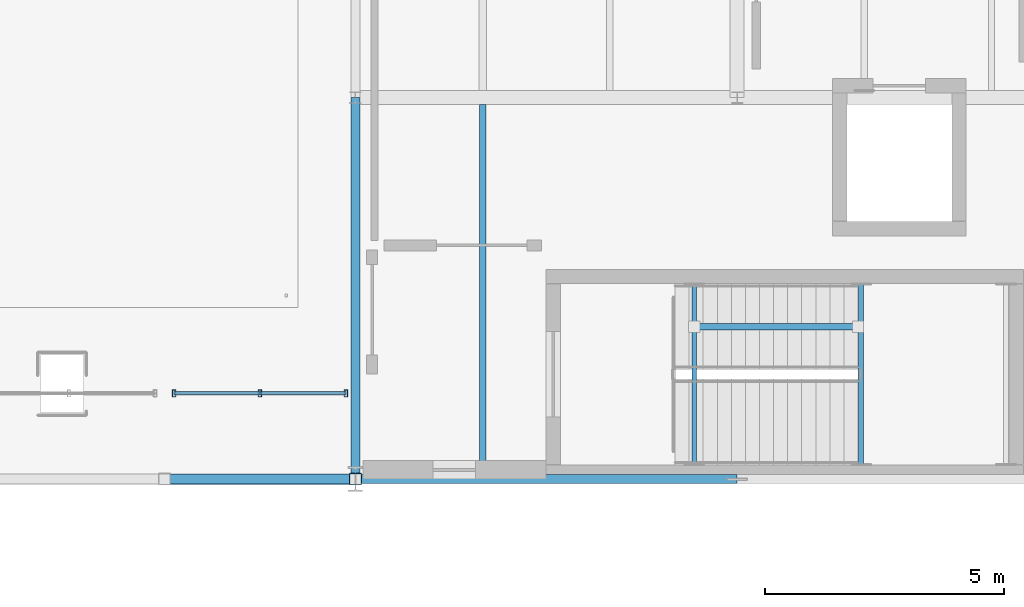
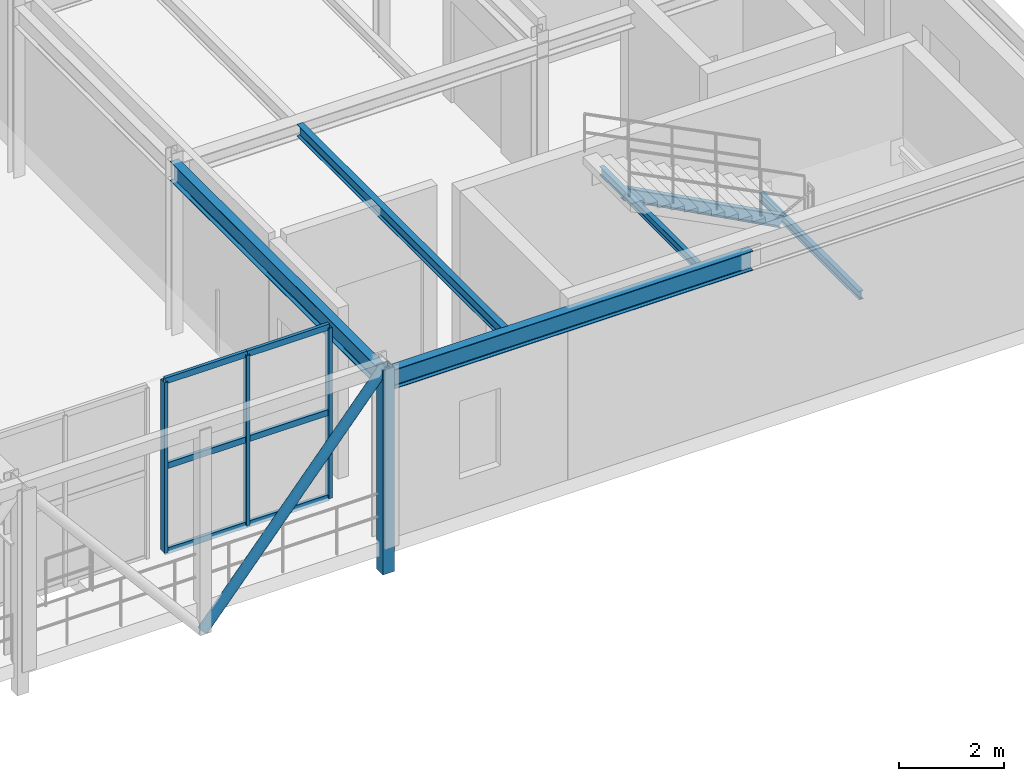
# One storey, part 28 of 124: 12 members, 5 beams, 1 element without a shape of its own.
"""IFC4 building model written with IfcOpenShell, lengths in metres."""

from ifc_helpers import new_model, si_unit, direction, frame, origin, origin_2d, place, context, subcontext, project, spatial, hollow_rectangle, hollow_circle, i_section, extrude, material, material_profile, profile_set, type_object, element, aggregate, save


model = new_model("IFC4")

# Units and contexts
model_context = context("Model", 3, precision=1e-05, world=origin(), true_north=direction((0.0, 1.0)))
body_context = subcontext(model_context, "Body", "Model", "MODEL_VIEW")
ifc_project = project(units=[si_unit("LENGTHUNIT", "METRE"), si_unit("AREAUNIT", "SQUARE_METRE"), si_unit("VOLUMEUNIT", "CUBIC_METRE"), si_unit("PLANEANGLEUNIT", "RADIAN"), si_unit("MASSUNIT", "GRAM", prefix="KILO")], contexts=[model_context])

# Site, building, storey
site_placement = place(None, origin())
site = spatial("IfcSite", under=ifc_project, at=site_placement, CompositionType="ELEMENT")
building_placement = place(site_placement, origin())
building = spatial("IfcBuilding", under=site, at=building_placement, Name="Sundkrona Museum", CompositionType="ELEMENT")
storey_placement = place(building_placement, frame((0.0, 0.0, 17.60009765625)))
storey = spatial("IfcBuildingStorey", under=building, at=storey_placement, Name="L03", CompositionType="ELEMENT", Elevation=17.60009765625)

# Member
ifc_material_1 = material(Name="Steel S355J2", Category="steel")
ifc_material_profile_1 = material_profile(ifc_material_1, i_section(OverallWidth=0.135009765625, OverallDepth=0.27001953125, WebThickness=0.006591796875, FlangeThickness=0.01025390625, FilletRadius=0.014892578125, at=origin_2d()), Name="IPE 270")
ifc_profile_set_1 = profile_set([ifc_material_profile_1], Name="Steel S355J2")
member_type_1 = type_object("IfcMemberType", Name="BR-IPE270", PredefinedType="BRACE", material=ifc_profile_set_1)
member_1_placement = place(storey_placement, frame((34.534912109375, 35.199951171875, 1.77978515625), z_axis=(-0.882182779908, 0.0, 0.470907148846), x_axis=(0.0, -1.0, 0.0)))
element("IfcMember", 1, at=member_1_placement, inside=storey, type_object=member_type_1, Name="SRK-1 L03 ST-4 Flight 2 Inclined Carriage Raker", PredefinedType="BRACE", context=body_context, shape_type="SweptSolid", body=[
    extrude(i_section(OverallWidth=0.135009765625, OverallDepth=0.27001953125, WebThickness=0.006591796875, FlangeThickness=0.01025390625, FilletRadius=0.014892578125, at=origin_2d()), origin(), (0.0, 0.0, 1.0), 3.8935546875),
])

# Beams
ifc_material_profile_2 = material_profile(ifc_material_1, i_section(OverallWidth=0.10009765625, OverallDepth=0.199951171875, WebThickness=0.005615234375, FlangeThickness=0.008544921875, FilletRadius=0.011962890625, at=origin_2d()), Name="IPE 200")
ifc_profile_set_2 = profile_set([ifc_material_profile_2], Name="Steel S355J2")
beam_type_1 = type_object("IfcBeamType", Name="J-IPE200", PredefinedType="JOIST", material=ifc_profile_set_2)
for number, where, z_axis, x_axis, name in (
    (2, (34.598388671875, 32.31005859375, 1.77978515625), (0.0, 1.0, 0.0), (-1.0, 0.0, 0.0), "L03 ST-4 Mid-Landing Trimmer Beam 1A"),
    (3, (31.10009765625, 32.31005859375, 3.61328125), (0.0, 1.0, 0.0), (-1.0, 0.0, 0.0), "L03 ST-4 Flight 2 Arrival Header Beam"),
):
    element("IfcBeam", number, at=place(storey_placement, frame(where, z_axis=z_axis, x_axis=x_axis)), inside=storey, type_object=beam_type_1, Name=name, PredefinedType="JOIST", context=body_context, shape_type="SweptSolid", body=[
        extrude(i_section(OverallWidth=0.10009765625, OverallDepth=0.199951171875, WebThickness=0.005615234375, FlangeThickness=0.008544921875, FilletRadius=0.011962890625, at=origin_2d()), origin(), (0.0, 0.0, 1.0), 3.780029296875),
    ])
ifc_material_profile_3 = material_profile(ifc_material_1, i_section(OverallWidth=0.135009765625, OverallDepth=0.27001953125, WebThickness=0.006591796875, FlangeThickness=0.01025390625, FilletRadius=0.014892578125, at=origin_2d()), Name="IPE 270")
ifc_profile_set_3 = profile_set([ifc_material_profile_3], Name="Steel S355J2")
beam_type_2 = type_object("IfcBeamType", Name="J-IPE270", PredefinedType="JOIST", material=ifc_profile_set_3)
beam_placement = place(storey_placement, frame((26.666748046875, 32.089111328125, 3.824951171875), z_axis=(0.0, 1.0, 0.0), x_axis=(-1.0, 0.0, 0.0)))
element("IfcBeam", 4, at=beam_placement, inside=storey, type_object=beam_type_2, Name="L03 Composite Joist 0979", PredefinedType="JOIST", context=body_context, shape_type="SweptSolid", body=[
    extrude(i_section(OverallWidth=0.135009765625, OverallDepth=0.27001953125, WebThickness=0.006591796875, FlangeThickness=0.01025390625, FilletRadius=0.014892578125, at=origin_2d()), origin(), (0.0, 0.0, 1.0), 7.766845703125),
])

# Curtain wall, members
ifc_material_2 = material(Name="Unitised Aluminium-Steel and Ceramic-Clad Curtain Walling", Category="steel")
curtain_wall_type = type_object("IfcCurtainWallType", Name="CW-CV-36x38", PredefinedType="NOTDEFINED", material=ifc_material_2)
curtain_wall_placement = place(storey_placement, origin())
curtain_wall = element("IfcCurtainWall", 5, at=curtain_wall_placement, inside=storey, type_object=curtain_wall_type, Name="L03 Curtain Wall CW-L03-160", PredefinedType="NOTDEFINED")
ifc_material_3 = material(Name="Aluminium EN AW-6060 T66", Category="aluminium")
ifc_material_profile_4 = material_profile(ifc_material_3, hollow_rectangle(XDim=0.074951171875, YDim=0.14990234375, WallThickness=0.00634765625, at=origin_2d()), Name="RHS 150x75x6.3")
ifc_profile_set_4 = profile_set([ifc_material_profile_4], Name="Aluminium EN AW-6060 T66")
member_type_2 = type_object("IfcMemberType", Name="ML-150", PredefinedType="MULLION", material=ifc_profile_set_4)
member_2_placement = place(storey_placement, frame((20.199951171875, 33.800048828125, -0.004150390625), z_axis=(0.0, 0.0, 1.0), x_axis=(1.0, 0.0, 0.0)))
member_2 = element("IfcMember", 6, at=member_2_placement, type_object=member_type_2, Name="CW-L03-160 Mullion 01", PredefinedType="MULLION", context=body_context, shape_type="SweptSolid", body=[
    extrude(hollow_rectangle(XDim=0.074951171875, YDim=0.14990234375, WallThickness=0.00634765625, at=origin_2d()), origin(), (0.0, 0.0, 1.0), 3.947998046875),
])
member_3_placement = place(storey_placement, frame((22.0, 33.800048828125, -0.004150390625), z_axis=(0.0, 0.0, 1.0), x_axis=(1.0, 0.0, 0.0)))
member_3 = element("IfcMember", 7, at=member_3_placement, type_object=member_type_2, Name="CW-L03-160 Mullion 02", PredefinedType="MULLION", context=body_context, shape_type="SweptSolid", body=[
    extrude(hollow_rectangle(XDim=0.074951171875, YDim=0.14990234375, WallThickness=0.00634765625, at=origin_2d()), origin(), (0.0, 0.0, 1.0), 3.947998046875),
])
member_4_placement = place(storey_placement, frame((23.800048828125, 33.800048828125, -0.004150390625), z_axis=(0.0, 0.0, 1.0), x_axis=(1.0, 0.0, 0.0)))
member_4 = element("IfcMember", 8, at=member_4_placement, type_object=member_type_2, Name="CW-L03-160 Mullion 03", PredefinedType="MULLION", context=body_context, shape_type="SweptSolid", body=[
    extrude(hollow_rectangle(XDim=0.074951171875, YDim=0.14990234375, WallThickness=0.00634765625, at=origin_2d()), origin(), (0.0, 0.0, 1.0), 3.947998046875),
])

# Beams
ifc_material_profile_5 = material_profile(ifc_material_1, i_section(OverallWidth=0.18994140625, OverallDepth=0.449951171875, WebThickness=0.009521484375, FlangeThickness=0.0146484375, FilletRadius=0.02099609375, at=origin_2d()), Name="IPE 450")
ifc_profile_set_5 = profile_set([ifc_material_profile_5], Name="Steel S355J2")
beam_type_3 = type_object("IfcBeamType", Name="SP-IPE450", PredefinedType="SPANDREL", material=ifc_profile_set_5)
for number, where, z_axis, x_axis, name in (
    (9, (24.0, 32.0, 3.73486328125), (1.0, 0.0, 0.0), (0.0, 1.0, 0.0), "L03 Girder X-1442"),
    (10, (24.0, 32.0, 3.73486328125), (0.0, 1.0, 0.0), (-1.0, 0.0, 0.0), "L03 Girder Y-1561"),
):
    element("IfcBeam", number, at=place(storey_placement, frame(where, z_axis=z_axis, x_axis=x_axis)), inside=storey, type_object=beam_type_3, Name=name, PredefinedType="SPANDREL", context=body_context, shape_type="SweptSolid", body=[
        extrude(i_section(OverallWidth=0.18994140625, OverallDepth=0.449951171875, WebThickness=0.009521484375, FlangeThickness=0.0146484375, FilletRadius=0.02099609375, at=origin_2d()), origin(), (0.0, 0.0, 1.0), 8.0),
    ])

# Members
ifc_material_profile_6 = material_profile(ifc_material_1, hollow_circle(Radius=0.109619140625, WallThickness=0.010009765625, at=origin_2d()), Name="CHS 219.1x10.0")
ifc_profile_set_6 = profile_set([ifc_material_profile_6], Name="Steel S355J2")
member_type_3 = type_object("IfcMemberType", Name="ST-CHS219", PredefinedType="STRUT", material=ifc_profile_set_6)
member_5_placement = place(storey_placement, frame((20.0, 32.0, -0.68017578125), z_axis=(0.645726672694, 0.0, 0.763568637499), x_axis=(0.0, 1.0, 0.0)))
element("IfcMember", 11, at=member_5_placement, inside=storey, type_object=member_type_3, Name="TRS-1 Cantilever Upper Pavilion S Diagonal 5", PredefinedType="STRUT", context=body_context, shape_type="SweptSolid", body=[
    extrude(hollow_circle(Radius=0.109619140625, WallThickness=0.010009765625, at=origin_2d()), origin(), (0.0, 0.0, 1.0), 6.194580078125),
])
ifc_material_4 = material(Name="Steel S460M", Category="steel")
ifc_material_profile_7 = material_profile(ifc_material_4, hollow_rectangle(XDim=0.25, YDim=0.25, WallThickness=0.012451171875, at=origin_2d()), Name="SHS 250x250x12.5")
ifc_profile_set_7 = profile_set([ifc_material_profile_7], Name="Steel S460M")
member_type_4 = type_object("IfcMemberType", Name="ST-SHS250", PredefinedType="STRUT", material=ifc_profile_set_7)
member_6_placement = place(storey_placement, frame((24.0, 32.0, -0.68017578125), z_axis=(0.0, 0.0, 1.0), x_axis=(1.0, 0.0, 0.0)))
element("IfcMember", 12, at=member_6_placement, inside=storey, type_object=member_type_4, Name="TRS-1 Cantilever Upper Pavilion Post S-6", PredefinedType="STRUT", context=body_context, shape_type="SweptSolid", body=[
    extrude(hollow_rectangle(XDim=0.25, YDim=0.25, WallThickness=0.012451171875, at=origin_2d()), origin(), (0.0, 0.0, 1.0), 4.72998046875),
])

# Member
ifc_material_profile_8 = material_profile(ifc_material_3, hollow_rectangle(XDim=0.070068359375, YDim=0.139892578125, WallThickness=0.0048828125, at=origin_2d()), Name="RHS 140x70x5.0")
ifc_profile_set_8 = profile_set([ifc_material_profile_8], Name="Aluminium EN AW-6060 T66")
member_type_5 = type_object("IfcMemberType", Name="TR-140", PredefinedType="USERDEFINED", material=ifc_profile_set_8)
member_7_placement = place(storey_placement, frame((20.199951171875, 33.800048828125, -0.004150390625), z_axis=(1.0, 0.0, 0.0), x_axis=(0.0, 1.0, 0.0)))
member_7 = element("IfcMember", 13, at=member_7_placement, type_object=member_type_5, Name="CW-L03-160 Transom 01", ObjectType="TRANSOM", PredefinedType="USERDEFINED", context=body_context, shape_type="SweptSolid", body=[
    extrude(hollow_rectangle(XDim=0.070068359375, YDim=0.139892578125, WallThickness=0.0048828125, at=origin_2d()), origin(), (0.0, 0.0, 1.0), 1.800048828125),
])

member_8_placement = place(storey_placement, frame((20.199951171875, 33.800048828125, 1.969970703125), z_axis=(1.0, 0.0, 0.0), x_axis=(0.0, 1.0, 0.0)))
member_8 = element("IfcMember", 14, at=member_8_placement, type_object=member_type_5, Name="CW-L03-160 Transom 02", ObjectType="TRANSOM", PredefinedType="USERDEFINED", context=body_context, shape_type="SweptSolid", body=[
    extrude(hollow_rectangle(XDim=0.070068359375, YDim=0.139892578125, WallThickness=0.0048828125, at=origin_2d()), origin(), (0.0, 0.0, 1.0), 1.800048828125),
])

member_9_placement = place(storey_placement, frame((20.199951171875, 33.800048828125, 3.94384765625), z_axis=(1.0, 0.0, 0.0), x_axis=(0.0, 1.0, 0.0)))
member_9 = element("IfcMember", 15, at=member_9_placement, type_object=member_type_5, Name="CW-L03-160 Transom 03", ObjectType="TRANSOM", PredefinedType="USERDEFINED", context=body_context, shape_type="SweptSolid", body=[
    extrude(hollow_rectangle(XDim=0.070068359375, YDim=0.139892578125, WallThickness=0.0048828125, at=origin_2d()), origin(), (0.0, 0.0, 1.0), 1.800048828125),
])

member_10_placement = place(storey_placement, frame((22.0, 33.800048828125, -0.004150390625), z_axis=(1.0, 0.0, 0.0), x_axis=(0.0, 1.0, 0.0)))
member_10 = element("IfcMember", 16, at=member_10_placement, type_object=member_type_5, Name="CW-L03-160 Transom 04", ObjectType="TRANSOM", PredefinedType="USERDEFINED", context=body_context, shape_type="SweptSolid", body=[
    extrude(hollow_rectangle(XDim=0.070068359375, YDim=0.139892578125, WallThickness=0.0048828125, at=origin_2d()), origin(), (0.0, 0.0, 1.0), 1.800048828125),
])

member_11_placement = place(storey_placement, frame((22.0, 33.800048828125, 1.969970703125), z_axis=(1.0, 0.0, 0.0), x_axis=(0.0, 1.0, 0.0)))
member_11 = element("IfcMember", 17, at=member_11_placement, type_object=member_type_5, Name="CW-L03-160 Transom 05", ObjectType="TRANSOM", PredefinedType="USERDEFINED", context=body_context, shape_type="SweptSolid", body=[
    extrude(hollow_rectangle(XDim=0.070068359375, YDim=0.139892578125, WallThickness=0.0048828125, at=origin_2d()), origin(), (0.0, 0.0, 1.0), 1.800048828125),
])

member_12_placement = place(storey_placement, frame((22.0, 33.800048828125, 3.94384765625), z_axis=(1.0, 0.0, 0.0), x_axis=(0.0, 1.0, 0.0)))
member_12 = element("IfcMember", 18, at=member_12_placement, type_object=member_type_5, Name="CW-L03-160 Transom 06", ObjectType="TRANSOM", PredefinedType="USERDEFINED", context=body_context, shape_type="SweptSolid", body=[
    extrude(hollow_rectangle(XDim=0.070068359375, YDim=0.139892578125, WallThickness=0.0048828125, at=origin_2d()), origin(), (0.0, 0.0, 1.0), 1.800048828125),
])

aggregate(curtain_wall, [member_2, member_3, member_4, member_7, member_8, member_9, member_10, member_11, member_12])

save(model, "model.ifc")
